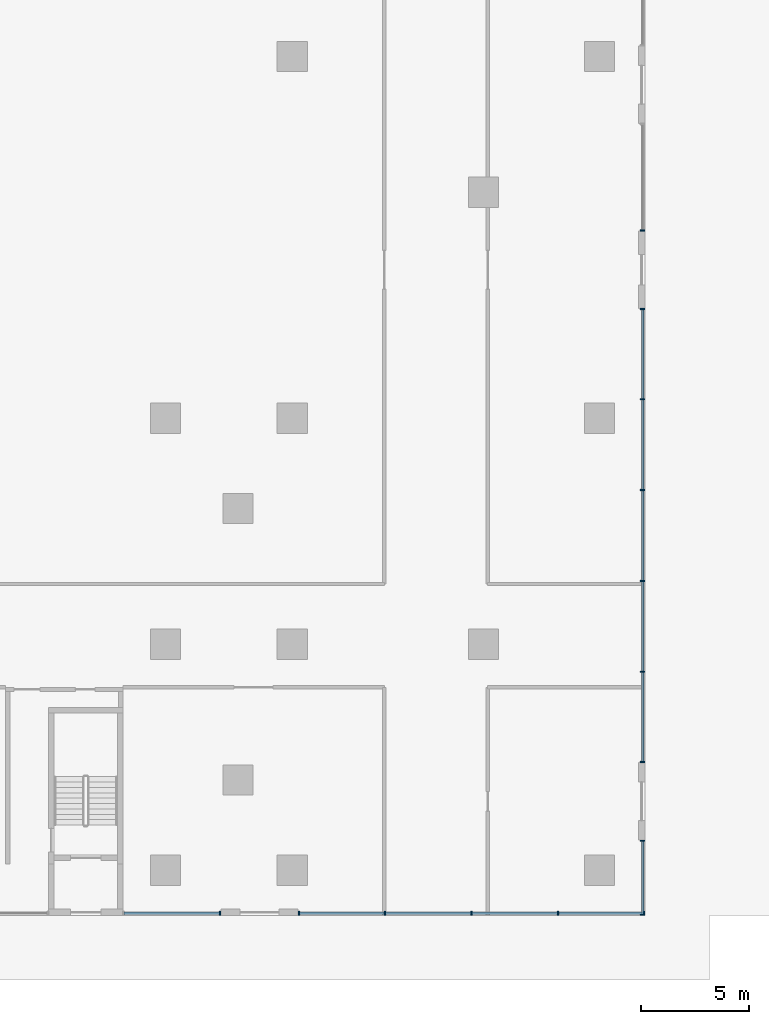
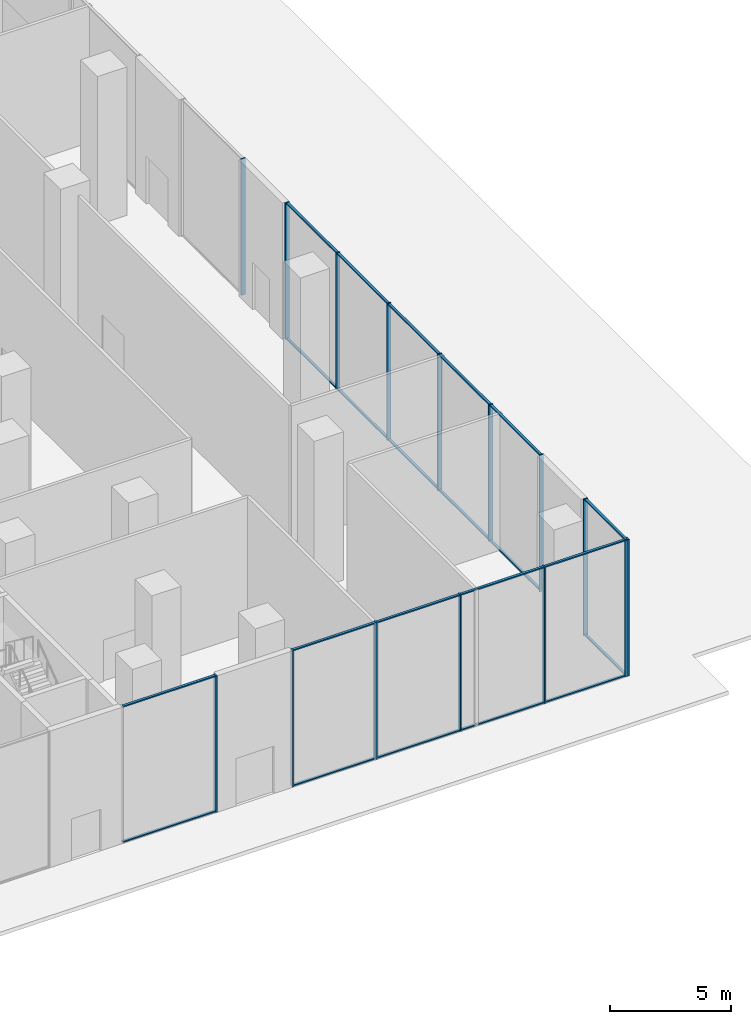
# One storey, part 7 of 26: 37 members, 5 elements without a shape of their own.
"""IFC4 building model written with IfcOpenShell, lengths in metres."""

from ifc_helpers import new_model, si_unit, direction, frame, origin, origin_2d, place, context, subcontext, project, spatial, rectangle, extrude, source, transform, mapped, material, layer, layer_set, material_profile, profile_set, type_object, element, aggregate, save


model = new_model("IFC4")

# Units and contexts
model_context = context("Model", 3, precision=1e-05, world=origin(), true_north=direction((0.0, 1.0)))
body_context = subcontext(model_context, "Body", "Model", "MODEL_VIEW")
ifc_project = project(units=[si_unit("LENGTHUNIT", "METRE"), si_unit("AREAUNIT", "SQUARE_METRE"), si_unit("VOLUMEUNIT", "CUBIC_METRE"), si_unit("PLANEANGLEUNIT", "RADIAN"), si_unit("MASSUNIT", "GRAM", prefix="KILO")], contexts=[model_context])

# Site, building, storey
site_placement = place(None, origin())
site = spatial("IfcSite", under=ifc_project, at=site_placement, CompositionType="ELEMENT")
building_placement = place(site_placement, origin())
building = spatial("IfcBuilding", under=site, at=building_placement, Name="Aurelian Terraces", CompositionType="ELEMENT")
storey_placement = place(building_placement, origin())
storey = spatial("IfcBuildingStorey", under=building, at=storey_placement, Name="L00", CompositionType="ELEMENT", Elevation=0.0)

# Curtain wall, member
ifc_material_1 = material(Name="Anodised aluminium and clear glazing", Category="aluminium")
ifc_layer = layer(ifc_material_1, 0.2)
ifc_layer_set = layer_set([ifc_layer], Name="Podium shopfront curtain wall")
curtain_wall_type = type_object("IfcCurtainWallType", Name="Podium shopfront curtain wall", PredefinedType="NOTDEFINED", material=ifc_layer_set)
curtain_wall_1_placement = place(storey_placement, origin())
curtain_wall_1 = element("IfcCurtainWall", 1, at=curtain_wall_1_placement, inside=storey, type_object=curtain_wall_type, Name="Podium shopfront L00 F01.10", PredefinedType="NOTDEFINED")
ifc_material_2 = material(Name="Anodised aluminium", Category="aluminium")
ifc_material_profile_1 = material_profile(ifc_material_2, rectangle(XDim=0.12, YDim=0.06, at=origin_2d()))
ifc_profile_set_1 = profile_set([ifc_material_profile_1], Name="Anodised aluminium")
member_type_1 = type_object("IfcMemberType", Name="Podium shopfront transom", PredefinedType="USERDEFINED", material=ifc_profile_set_1)
member_1_placement = place(storey_placement, frame((61.91, -2.0, 0.03), z_axis=(1.0, 0.0, 0.0), x_axis=(0.0, 1.0, 0.0)))
member_1 = element("IfcMember", 2, at=member_1_placement, type_object=member_type_1, Name="CW1 transom 1.1", ObjectType="TRANSOM", PredefinedType="USERDEFINED", context=body_context, shape_type="SweptSolid", body=[
    extrude(rectangle(XDim=0.12, YDim=0.06, at=origin_2d()), origin(), (0.0, 0.0, 1.0), 4.43),
])

# Curtain wall, members
curtain_wall_2_placement = place(storey_placement, origin())
curtain_wall_2 = element("IfcCurtainWall", 3, at=curtain_wall_2_placement, inside=storey, type_object=curtain_wall_type, Name="Podium shopfront L00 F01.12", PredefinedType="NOTDEFINED")
member_2_placement = place(storey_placement, frame((70.06, -2.0, 0.03), z_axis=(1.0, 0.0, 0.0), x_axis=(0.0, 1.0, 0.0)))
member_2 = element("IfcMember", 4, at=member_2_placement, type_object=member_type_1, Name="CW1 transom 1.1", ObjectType="TRANSOM", PredefinedType="USERDEFINED", context=body_context, shape_type="SweptSolid", body=[
    extrude(rectangle(XDim=0.12, YDim=0.06, at=origin_2d()), origin(), (0.0, 0.0, 1.0), 3.935),
])
member_3_placement = place(storey_placement, frame((74.055, -2.0, 0.03), z_axis=(1.0, 0.0, 0.0), x_axis=(0.0, 1.0, 0.0)))
member_3 = element("IfcMember", 5, at=member_3_placement, type_object=member_type_1, Name="CW1 transom 2.1", ObjectType="TRANSOM", PredefinedType="USERDEFINED", context=body_context, shape_type="SweptSolid", body=[
    extrude(rectangle(XDim=0.12, YDim=0.06, at=origin_2d()), origin(), (0.0, 0.0, 1.0), 3.965),
])

# Curtain wall, member
curtain_wall_3_placement = place(storey_placement, origin())
curtain_wall_3 = element("IfcCurtainWall", 6, at=curtain_wall_3_placement, inside=storey, type_object=curtain_wall_type, Name="Podium shopfront L00 F02.1", PredefinedType="NOTDEFINED")
member_4_placement = place(storey_placement, frame((86.0, -2.04, 0.03), z_axis=(0.0, 1.0, 0.0), x_axis=(-1.0, 0.0, 0.0)))
member_4 = element("IfcMember", 7, at=member_4_placement, type_object=member_type_1, Name="CW1 transom 1.1", ObjectType="TRANSOM", PredefinedType="USERDEFINED", context=body_context, shape_type="SweptSolid", body=[
    extrude(rectangle(XDim=0.12, YDim=0.06, at=origin_2d()), origin(), (0.0, 0.0, 1.0), 3.38),
])

# Curtain wall, members
curtain_wall_4_placement = place(storey_placement, origin())
curtain_wall_4 = element("IfcCurtainWall", 8, at=curtain_wall_4_placement, inside=storey, type_object=curtain_wall_type, Name="Podium shopfront L00 F02.3", PredefinedType="NOTDEFINED")
member_5_placement = place(storey_placement, frame((86.0, 5.06, 0.03), z_axis=(0.0, 1.0, 0.0), x_axis=(-1.0, 0.0, 0.0)))
member_5 = element("IfcMember", 9, at=member_5_placement, type_object=member_type_1, Name="CW1 transom 1.1", ObjectType="TRANSOM", PredefinedType="USERDEFINED", context=body_context, shape_type="SweptSolid", body=[
    extrude(rectangle(XDim=0.12, YDim=0.06, at=origin_2d()), origin(), (0.0, 0.0, 1.0), 4.13),
])
member_6_placement = place(storey_placement, frame((86.0, 9.25, 0.03), z_axis=(0.0, 1.0, 0.0), x_axis=(-1.0, 0.0, 0.0)))
member_6 = element("IfcMember", 10, at=member_6_placement, type_object=member_type_1, Name="CW1 transom 2.1", ObjectType="TRANSOM", PredefinedType="USERDEFINED", context=body_context, shape_type="SweptSolid", body=[
    extrude(rectangle(XDim=0.12, YDim=0.06, at=origin_2d()), origin(), (0.0, 0.0, 1.0), 4.16),
])

# Member
ifc_material_profile_2 = material_profile(ifc_material_2, rectangle(XDim=0.2, YDim=0.06, at=origin_2d()))
ifc_profile_set_2 = profile_set([ifc_material_profile_2], Name="Anodised aluminium")
member_type_2 = type_object("IfcMemberType", Name="Podium shopfront mullion", PredefinedType="MULLION", material=ifc_profile_set_2)
shared_shape_1 = source(origin(), body_context, "Body", "SweptSolid", [
    extrude(rectangle(XDim=0.2, YDim=0.06, at=origin_2d()), origin(), (0.0, 0.0, 1.0), 6.9),
])
member_7_placement = place(storey_placement, frame((66.37, -2.0, 0.0), z_axis=(0.0, 0.0, 1.0), x_axis=(0.0, 1.0, 0.0)))
member_7 = element("IfcMember", 11, at=member_7_placement, type_object=member_type_2, Name="CW1 mullion 2", PredefinedType="MULLION", context=body_context, shape_type="MappedRepresentation", body=[
    mapped(shared_shape_1, transform((0.0, 0.0, 0.0), scale=1.0)),
])

member_8_placement = place(storey_placement, frame((70.03, -2.0, 0.0), z_axis=(0.0, 0.0, 1.0), x_axis=(0.0, 1.0, 0.0)))
member_8 = element("IfcMember", 12, at=member_8_placement, type_object=member_type_2, Name="CW1 mullion 1", PredefinedType="MULLION", context=body_context, shape_type="MappedRepresentation", body=[
    mapped(shared_shape_1, transform((0.0, 0.0, 0.0), scale=1.0)),
])

member_9_placement = place(storey_placement, frame((74.025, -2.0, 0.0), z_axis=(0.0, 0.0, 1.0), x_axis=(0.0, 1.0, 0.0)))
member_9 = element("IfcMember", 13, at=member_9_placement, type_object=member_type_2, Name="CW1 mullion 2", PredefinedType="MULLION", context=body_context, shape_type="MappedRepresentation", body=[
    mapped(shared_shape_1, transform((0.0, 0.0, 0.0), scale=1.0)),
])

member_10_placement = place(storey_placement, frame((78.05, -2.0, 0.0), z_axis=(0.0, 0.0, 1.0), x_axis=(0.0, 1.0, 0.0)))
member_10 = element("IfcMember", 14, at=member_10_placement, type_object=member_type_2, Name="CW1 mullion 3", PredefinedType="MULLION", context=body_context, shape_type="MappedRepresentation", body=[
    mapped(shared_shape_1, transform((0.0, 0.0, 0.0), scale=1.0)),
])

member_11_placement = place(storey_placement, frame((82.075, -2.0, 0.0), z_axis=(0.0, 0.0, 1.0), x_axis=(0.0, 1.0, 0.0)))
member_11 = element("IfcMember", 15, at=member_11_placement, type_object=member_type_2, Name="CW1 mullion 4", PredefinedType="MULLION", context=body_context, shape_type="MappedRepresentation", body=[
    mapped(shared_shape_1, transform((0.0, 0.0, 0.0), scale=1.0)),
])

member_12_placement = place(storey_placement, frame((86.07, -2.0, 0.0), z_axis=(0.0, 0.0, 1.0), x_axis=(0.0, 1.0, 0.0)))
member_12 = element("IfcMember", 16, at=member_12_placement, type_object=member_type_2, Name="CW1 mullion 5", PredefinedType="MULLION", context=body_context, shape_type="MappedRepresentation", body=[
    mapped(shared_shape_1, transform((0.0, 0.0, 0.0), scale=1.0)),
])

member_13_placement = place(storey_placement, frame((86.0, -2.07, 0.0), z_axis=(0.0, 0.0, 1.0), x_axis=(-1.0, 0.0, 0.0)))
member_13 = element("IfcMember", 17, at=member_13_placement, type_object=member_type_2, Name="CW1 mullion 1", PredefinedType="MULLION", context=body_context, shape_type="MappedRepresentation", body=[
    mapped(shared_shape_1, transform((0.0, 0.0, 0.0), scale=1.0)),
])

member_14_placement = place(storey_placement, frame((86.0, 1.37, 0.0), z_axis=(0.0, 0.0, 1.0), x_axis=(-1.0, 0.0, 0.0)))
member_14 = element("IfcMember", 18, at=member_14_placement, type_object=member_type_2, Name="CW1 mullion 2", PredefinedType="MULLION", context=body_context, shape_type="MappedRepresentation", body=[
    mapped(shared_shape_1, transform((0.0, 0.0, 0.0), scale=1.0)),
])

member_15_placement = place(storey_placement, frame((86.0, 5.03, 0.0), z_axis=(0.0, 0.0, 1.0), x_axis=(-1.0, 0.0, 0.0)))
member_15 = element("IfcMember", 19, at=member_15_placement, type_object=member_type_2, Name="CW1 mullion 1", PredefinedType="MULLION", context=body_context, shape_type="MappedRepresentation", body=[
    mapped(shared_shape_1, transform((0.0, 0.0, 0.0), scale=1.0)),
])

member_16_placement = place(storey_placement, frame((86.0, 9.22, 0.0), z_axis=(0.0, 0.0, 1.0), x_axis=(-1.0, 0.0, 0.0)))
member_16 = element("IfcMember", 20, at=member_16_placement, type_object=member_type_2, Name="CW1 mullion 2", PredefinedType="MULLION", context=body_context, shape_type="MappedRepresentation", body=[
    mapped(shared_shape_1, transform((0.0, 0.0, 0.0), scale=1.0)),
])

member_17_placement = place(storey_placement, frame((86.0, 13.44, 0.0), z_axis=(0.0, 0.0, 1.0), x_axis=(-1.0, 0.0, 0.0)))
member_17 = element("IfcMember", 21, at=member_17_placement, type_object=member_type_2, Name="CW1 mullion 3", PredefinedType="MULLION", context=body_context, shape_type="MappedRepresentation", body=[
    mapped(shared_shape_1, transform((0.0, 0.0, 0.0), scale=1.0)),
])

member_18_placement = place(storey_placement, frame((86.0, 17.66, 0.0), z_axis=(0.0, 0.0, 1.0), x_axis=(-1.0, 0.0, 0.0)))
member_18 = element("IfcMember", 22, at=member_18_placement, type_object=member_type_2, Name="CW1 mullion 4", PredefinedType="MULLION", context=body_context, shape_type="MappedRepresentation", body=[
    mapped(shared_shape_1, transform((0.0, 0.0, 0.0), scale=1.0)),
])

member_19_placement = place(storey_placement, frame((86.0, 21.88, 0.0), z_axis=(0.0, 0.0, 1.0), x_axis=(-1.0, 0.0, 0.0)))
member_19 = element("IfcMember", 23, at=member_19_placement, type_object=member_type_2, Name="CW1 mullion 5", PredefinedType="MULLION", context=body_context, shape_type="MappedRepresentation", body=[
    mapped(shared_shape_1, transform((0.0, 0.0, 0.0), scale=1.0)),
])

member_20_placement = place(storey_placement, frame((86.0, 26.07, 0.0), z_axis=(0.0, 0.0, 1.0), x_axis=(-1.0, 0.0, 0.0)))
member_20 = element("IfcMember", 24, at=member_20_placement, type_object=member_type_2, Name="CW1 mullion 6", PredefinedType="MULLION", context=body_context, shape_type="MappedRepresentation", body=[
    mapped(shared_shape_1, transform((0.0, 0.0, 0.0), scale=1.0)),
])

# Curtain wall, member
curtain_wall_5_placement = place(storey_placement, origin())
curtain_wall_5 = element("IfcCurtainWall", 25, at=curtain_wall_5_placement, inside=storey, type_object=curtain_wall_type, Name="Podium shopfront L00 F02.5", PredefinedType="NOTDEFINED")
member_21_placement = place(storey_placement, frame((86.0, 29.73, 0.0), z_axis=(0.0, 0.0, 1.0), x_axis=(-1.0, 0.0, 0.0)))
member_21 = element("IfcMember", 26, at=member_21_placement, type_object=member_type_2, Name="CW1 mullion 1", PredefinedType="MULLION", context=body_context, shape_type="MappedRepresentation", body=[
    mapped(shared_shape_1, transform((0.0, 0.0, 0.0), scale=1.0)),
])
aggregate(curtain_wall_5, [member_21])

# Member
shared_shape_2 = source(origin(), body_context, "Body", "SweptSolid", [
    extrude(rectangle(XDim=0.12, YDim=0.06, at=origin_2d()), origin(), (0.0, 0.0, 1.0), 4.43),
])
member_22_placement = place(storey_placement, frame((61.91, -2.0, 6.87), z_axis=(1.0, 0.0, 0.0), x_axis=(0.0, 1.0, 0.0)))
member_22 = element("IfcMember", 27, at=member_22_placement, type_object=member_type_1, Name="CW1 transom 1.2", ObjectType="TRANSOM", PredefinedType="USERDEFINED", context=body_context, shape_type="MappedRepresentation", body=[
    mapped(shared_shape_2, transform((0.0, 0.0, 0.0), scale=1.0)),
])

aggregate(curtain_wall_1, [member_7, member_1, member_22])

shared_shape_3 = source(origin(), body_context, "Body", "SweptSolid", [
    extrude(rectangle(XDim=0.12, YDim=0.06, at=origin_2d()), origin(), (0.0, 0.0, 1.0), 3.935),
])
member_23_placement = place(storey_placement, frame((70.06, -2.0, 6.87), z_axis=(1.0, 0.0, 0.0), x_axis=(0.0, 1.0, 0.0)))
member_23 = element("IfcMember", 28, at=member_23_placement, type_object=member_type_1, Name="CW1 transom 1.2", ObjectType="TRANSOM", PredefinedType="USERDEFINED", context=body_context, shape_type="MappedRepresentation", body=[
    mapped(shared_shape_3, transform((0.0, 0.0, 0.0), scale=1.0)),
])

member_24_placement = place(storey_placement, frame((82.105, -2.0, 0.03), z_axis=(1.0, 0.0, 0.0), x_axis=(0.0, 1.0, 0.0)))
member_24 = element("IfcMember", 29, at=member_24_placement, type_object=member_type_1, Name="CW1 transom 4.1", ObjectType="TRANSOM", PredefinedType="USERDEFINED", context=body_context, shape_type="MappedRepresentation", body=[
    mapped(shared_shape_3, transform((0.0, 0.0, 0.0), scale=1.0)),
])

member_25_placement = place(storey_placement, frame((82.105, -2.0, 6.87), z_axis=(1.0, 0.0, 0.0), x_axis=(0.0, 1.0, 0.0)))
member_25 = element("IfcMember", 30, at=member_25_placement, type_object=member_type_1, Name="CW1 transom 4.2", ObjectType="TRANSOM", PredefinedType="USERDEFINED", context=body_context, shape_type="MappedRepresentation", body=[
    mapped(shared_shape_3, transform((0.0, 0.0, 0.0), scale=1.0)),
])

shared_shape_4 = source(origin(), body_context, "Body", "SweptSolid", [
    extrude(rectangle(XDim=0.12, YDim=0.06, at=origin_2d()), origin(), (0.0, 0.0, 1.0), 3.965),
])
member_26_placement = place(storey_placement, frame((74.055, -2.0, 6.87), z_axis=(1.0, 0.0, 0.0), x_axis=(0.0, 1.0, 0.0)))
member_26 = element("IfcMember", 31, at=member_26_placement, type_object=member_type_1, Name="CW1 transom 2.2", ObjectType="TRANSOM", PredefinedType="USERDEFINED", context=body_context, shape_type="MappedRepresentation", body=[
    mapped(shared_shape_4, transform((0.0, 0.0, 0.0), scale=1.0)),
])

member_27_placement = place(storey_placement, frame((78.08, -2.0, 0.03), z_axis=(1.0, 0.0, 0.0), x_axis=(0.0, 1.0, 0.0)))
member_27 = element("IfcMember", 32, at=member_27_placement, type_object=member_type_1, Name="CW1 transom 3.1", ObjectType="TRANSOM", PredefinedType="USERDEFINED", context=body_context, shape_type="MappedRepresentation", body=[
    mapped(shared_shape_4, transform((0.0, 0.0, 0.0), scale=1.0)),
])

member_28_placement = place(storey_placement, frame((78.08, -2.0, 6.87), z_axis=(1.0, 0.0, 0.0), x_axis=(0.0, 1.0, 0.0)))
member_28 = element("IfcMember", 33, at=member_28_placement, type_object=member_type_1, Name="CW1 transom 3.2", ObjectType="TRANSOM", PredefinedType="USERDEFINED", context=body_context, shape_type="MappedRepresentation", body=[
    mapped(shared_shape_4, transform((0.0, 0.0, 0.0), scale=1.0)),
])

aggregate(curtain_wall_2, [member_8, member_9, member_10, member_11, member_12, member_2, member_23, member_3, member_26, member_27, member_28, member_24, member_25])

shared_shape_5 = source(origin(), body_context, "Body", "SweptSolid", [
    extrude(rectangle(XDim=0.12, YDim=0.06, at=origin_2d()), origin(), (0.0, 0.0, 1.0), 3.38),
])
member_29_placement = place(storey_placement, frame((86.0, -2.04, 6.87), z_axis=(0.0, 1.0, 0.0), x_axis=(-1.0, 0.0, 0.0)))
member_29 = element("IfcMember", 34, at=member_29_placement, type_object=member_type_1, Name="CW1 transom 1.2", ObjectType="TRANSOM", PredefinedType="USERDEFINED", context=body_context, shape_type="MappedRepresentation", body=[
    mapped(shared_shape_5, transform((0.0, 0.0, 0.0), scale=1.0)),
])

aggregate(curtain_wall_3, [member_13, member_14, member_4, member_29])

shared_shape_6 = source(origin(), body_context, "Body", "SweptSolid", [
    extrude(rectangle(XDim=0.12, YDim=0.06, at=origin_2d()), origin(), (0.0, 0.0, 1.0), 4.13),
])
member_30_placement = place(storey_placement, frame((86.0, 5.06, 6.87), z_axis=(0.0, 1.0, 0.0), x_axis=(-1.0, 0.0, 0.0)))
member_30 = element("IfcMember", 35, at=member_30_placement, type_object=member_type_1, Name="CW1 transom 1.2", ObjectType="TRANSOM", PredefinedType="USERDEFINED", context=body_context, shape_type="MappedRepresentation", body=[
    mapped(shared_shape_6, transform((0.0, 0.0, 0.0), scale=1.0)),
])

member_31_placement = place(storey_placement, frame((86.0, 21.91, 0.03), z_axis=(0.0, 1.0, 0.0), x_axis=(-1.0, 0.0, 0.0)))
member_31 = element("IfcMember", 36, at=member_31_placement, type_object=member_type_1, Name="CW1 transom 5.1", ObjectType="TRANSOM", PredefinedType="USERDEFINED", context=body_context, shape_type="MappedRepresentation", body=[
    mapped(shared_shape_6, transform((0.0, 0.0, 0.0), scale=1.0)),
])

member_32_placement = place(storey_placement, frame((86.0, 21.91, 6.87), z_axis=(0.0, 1.0, 0.0), x_axis=(-1.0, 0.0, 0.0)))
member_32 = element("IfcMember", 37, at=member_32_placement, type_object=member_type_1, Name="CW1 transom 5.2", ObjectType="TRANSOM", PredefinedType="USERDEFINED", context=body_context, shape_type="MappedRepresentation", body=[
    mapped(shared_shape_6, transform((0.0, 0.0, 0.0), scale=1.0)),
])

shared_shape_7 = source(origin(), body_context, "Body", "SweptSolid", [
    extrude(rectangle(XDim=0.12, YDim=0.06, at=origin_2d()), origin(), (0.0, 0.0, 1.0), 4.16),
])
member_33_placement = place(storey_placement, frame((86.0, 9.25, 6.87), z_axis=(0.0, 1.0, 0.0), x_axis=(-1.0, 0.0, 0.0)))
member_33 = element("IfcMember", 38, at=member_33_placement, type_object=member_type_1, Name="CW1 transom 2.2", ObjectType="TRANSOM", PredefinedType="USERDEFINED", context=body_context, shape_type="MappedRepresentation", body=[
    mapped(shared_shape_7, transform((0.0, 0.0, 0.0), scale=1.0)),
])

member_34_placement = place(storey_placement, frame((86.0, 13.47, 0.03), z_axis=(0.0, 1.0, 0.0), x_axis=(-1.0, 0.0, 0.0)))
member_34 = element("IfcMember", 39, at=member_34_placement, type_object=member_type_1, Name="CW1 transom 3.1", ObjectType="TRANSOM", PredefinedType="USERDEFINED", context=body_context, shape_type="MappedRepresentation", body=[
    mapped(shared_shape_7, transform((0.0, 0.0, 0.0), scale=1.0)),
])

member_35_placement = place(storey_placement, frame((86.0, 13.47, 6.87), z_axis=(0.0, 1.0, 0.0), x_axis=(-1.0, 0.0, 0.0)))
member_35 = element("IfcMember", 40, at=member_35_placement, type_object=member_type_1, Name="CW1 transom 3.2", ObjectType="TRANSOM", PredefinedType="USERDEFINED", context=body_context, shape_type="MappedRepresentation", body=[
    mapped(shared_shape_7, transform((0.0, 0.0, 0.0), scale=1.0)),
])

member_36_placement = place(storey_placement, frame((86.0, 17.69, 0.03), z_axis=(0.0, 1.0, 0.0), x_axis=(-1.0, 0.0, 0.0)))
member_36 = element("IfcMember", 41, at=member_36_placement, type_object=member_type_1, Name="CW1 transom 4.1", ObjectType="TRANSOM", PredefinedType="USERDEFINED", context=body_context, shape_type="MappedRepresentation", body=[
    mapped(shared_shape_7, transform((0.0, 0.0, 0.0), scale=1.0)),
])

member_37_placement = place(storey_placement, frame((86.0, 17.69, 6.87), z_axis=(0.0, 1.0, 0.0), x_axis=(-1.0, 0.0, 0.0)))
member_37 = element("IfcMember", 42, at=member_37_placement, type_object=member_type_1, Name="CW1 transom 4.2", ObjectType="TRANSOM", PredefinedType="USERDEFINED", context=body_context, shape_type="MappedRepresentation", body=[
    mapped(shared_shape_7, transform((0.0, 0.0, 0.0), scale=1.0)),
])

aggregate(curtain_wall_4, [member_15, member_16, member_17, member_18, member_19, member_20, member_5, member_30, member_6, member_33, member_34, member_35, member_36, member_37, member_31, member_32])

save(model, "model.ifc")
